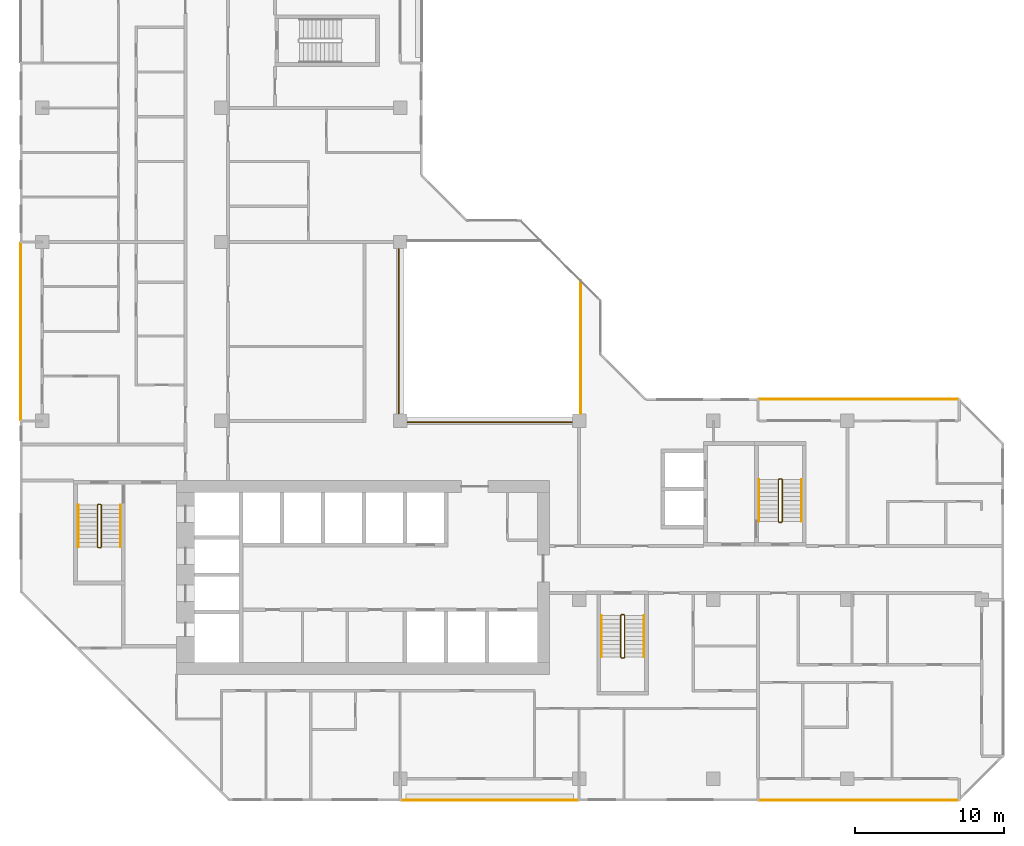
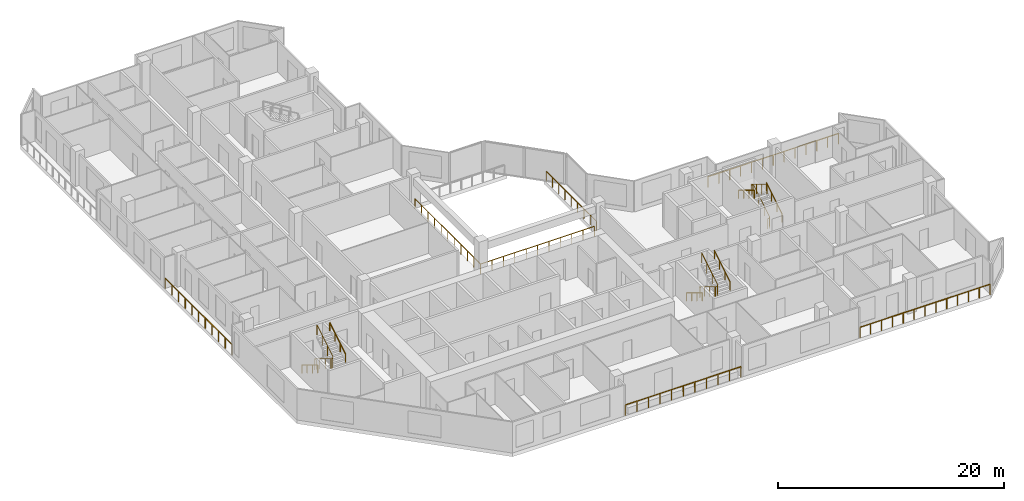
# One storey, part 14 of 15: 15 railings.
"""IFC4 building model written with IfcOpenShell, lengths in metres."""

from ifc_helpers import new_model, si_unit, direction, frame, origin, origin_2d, place, context, subcontext, project, spatial, rectangle, extrude, material, type_object, element, save


model = new_model("IFC4")

# Units and contexts
model_context = context("Model", 3, precision=1e-05, world=origin(), true_north=direction((0.0, 1.0)))
body_context = subcontext(model_context, "Body", "Model", "MODEL_VIEW")
ifc_project = project(units=[si_unit("LENGTHUNIT", "METRE"), si_unit("AREAUNIT", "SQUARE_METRE"), si_unit("VOLUMEUNIT", "CUBIC_METRE"), si_unit("PLANEANGLEUNIT", "RADIAN"), si_unit("MASSUNIT", "GRAM", prefix="KILO")], contexts=[model_context])

# Site, building, storey
site_placement = place(None, origin())
site = spatial("IfcSite", under=ifc_project, at=site_placement, CompositionType="ELEMENT")
building_placement = place(site_placement, origin())
building = spatial("IfcBuilding", under=site, at=building_placement, Name="Chenar Terraces", CompositionType="ELEMENT")
storey_placement = place(building_placement, frame((0.0, 0.0, 176.14990234375)))
storey = spatial("IfcBuildingStorey", under=building, at=storey_placement, Name="L40", CompositionType="ELEMENT", Elevation=176.14990234375)

# Railings
ifc_material_1 = material(Name="Powder-coated steel", Category="steel")
railing_type_1 = type_object("IfcRailingType", Name="Guard 1100 steel rail with glass infill", PredefinedType="GUARDRAIL", material=ifc_material_1)
railing_1_placement = place(storey_placement, frame((23.89990234375, 35.550048828125, 0.0)))
element("IfcRailing", 1, at=railing_1_placement, inside=storey, type_object=railing_type_1, Name="Guard L40-1", PredefinedType="GUARDRAIL", context=body_context, shape_type="SweptSolid", body=[
    extrude(rectangle(XDim=0.06005859375, YDim=0.06005859375, at=origin_2d()), frame((0.0, 0.0, 1.070068359375), z_axis=(0.0, -1.0, 0.0), x_axis=(1.0, 0.0, 0.0)), (0.0, 0.0, 1.0), 11.650146484375),
    extrude(rectangle(XDim=0.06005859375, YDim=0.06005859375, at=origin_2d()), frame((0.0, -11.650146484375, 1.070068359375), z_axis=(1.0, 0.0, 0.0), x_axis=(0.0, 1.0, 0.0)), (0.0, 0.0, 1.0), 11.650146484375),
    extrude(rectangle(XDim=0.050048828125, YDim=0.050048828125, at=origin_2d()), origin(), (0.0, 0.0, 1.0), 1.0400390625),
    extrude(rectangle(XDim=0.050048828125, YDim=0.050048828125, at=origin_2d()), frame((0.0, -1.1650390625, 0.0)), (0.0, 0.0, 1.0), 1.0400390625),
    extrude(rectangle(XDim=0.050048828125, YDim=0.050048828125, at=origin_2d()), frame((0.0, -2.330078125, 0.0)), (0.0, 0.0, 1.0), 1.0400390625),
    extrude(rectangle(XDim=0.050048828125, YDim=0.050048828125, at=origin_2d()), frame((0.0, -3.4951171875, 0.0)), (0.0, 0.0, 1.0), 1.0400390625),
    extrude(rectangle(XDim=0.050048828125, YDim=0.050048828125, at=origin_2d()), frame((0.0, -4.66015625, 0.0)), (0.0, 0.0, 1.0), 1.0400390625),
    extrude(rectangle(XDim=0.050048828125, YDim=0.050048828125, at=origin_2d()), frame((0.0, -5.8251953125, 0.0)), (0.0, 0.0, 1.0), 1.0400390625),
    extrude(rectangle(XDim=0.050048828125, YDim=0.050048828125, at=origin_2d()), frame((0.0, -6.989990234375, 0.0)), (0.0, 0.0, 1.0), 1.0400390625),
    extrude(rectangle(XDim=0.050048828125, YDim=0.050048828125, at=origin_2d()), frame((0.0, -8.155029296875, 0.0)), (0.0, 0.0, 1.0), 1.0400390625),
    extrude(rectangle(XDim=0.050048828125, YDim=0.050048828125, at=origin_2d()), frame((0.0, -9.320068359375, 0.0)), (0.0, 0.0, 1.0), 1.0400390625),
    extrude(rectangle(XDim=0.050048828125, YDim=0.050048828125, at=origin_2d()), frame((0.0, -10.485107421875, 0.0)), (0.0, 0.0, 1.0), 1.0400390625),
    extrude(rectangle(XDim=0.050048828125, YDim=0.050048828125, at=origin_2d()), frame((0.0, -11.650146484375, 0.0)), (0.0, 0.0, 1.0), 1.0400390625),
    extrude(rectangle(XDim=0.050048828125, YDim=0.050048828125, at=origin_2d()), frame((1.1650390625, -11.650146484375, 0.0)), (0.0, 0.0, 1.0), 1.0400390625),
    extrude(rectangle(XDim=0.050048828125, YDim=0.050048828125, at=origin_2d()), frame((2.330078125, -11.650146484375, 0.0)), (0.0, 0.0, 1.0), 1.0400390625),
    extrude(rectangle(XDim=0.050048828125, YDim=0.050048828125, at=origin_2d()), frame((3.4951171875, -11.650146484375, 0.0)), (0.0, 0.0, 1.0), 1.0400390625),
    extrude(rectangle(XDim=0.050048828125, YDim=0.050048828125, at=origin_2d()), frame((4.66015625, -11.650146484375, 0.0)), (0.0, 0.0, 1.0), 1.0400390625),
    extrude(rectangle(XDim=0.050048828125, YDim=0.050048828125, at=origin_2d()), frame((5.8251953125, -11.650146484375, 0.0)), (0.0, 0.0, 1.0), 1.0400390625),
    extrude(rectangle(XDim=0.050048828125, YDim=0.050048828125, at=origin_2d()), frame((6.989990234375, -11.650146484375, 0.0)), (0.0, 0.0, 1.0), 1.0400390625),
    extrude(rectangle(XDim=0.050048828125, YDim=0.050048828125, at=origin_2d()), frame((8.155029296875, -11.650146484375, 0.0)), (0.0, 0.0, 1.0), 1.0400390625),
    extrude(rectangle(XDim=0.050048828125, YDim=0.050048828125, at=origin_2d()), frame((9.320068359375, -11.650146484375, 0.0)), (0.0, 0.0, 1.0), 1.0400390625),
    extrude(rectangle(XDim=0.050048828125, YDim=0.050048828125, at=origin_2d()), frame((10.485107421875, -11.650146484375, 0.0)), (0.0, 0.0, 1.0), 1.0400390625),
    extrude(rectangle(XDim=0.050048828125, YDim=0.050048828125, at=origin_2d()), frame((11.650146484375, -11.650146484375, 0.0)), (0.0, 0.0, 1.0), 1.0400390625),
])
railing_2_placement = place(storey_placement, frame((36.10009765625, 24.5, 0.0)))
element("IfcRailing", 2, at=railing_2_placement, inside=storey, type_object=railing_type_1, Name="Guard L40-3", PredefinedType="GUARDRAIL", context=body_context, shape_type="SweptSolid", body=[
    extrude(rectangle(XDim=0.06005859375, YDim=0.06005859375, at=origin_2d()), frame((0.0, 0.0, 1.070068359375), z_axis=(0.0, 1.0, 0.0), x_axis=(-1.0, 0.0, 0.0)), (0.0, 0.0, 1.0), 8.89990234375),
    extrude(rectangle(XDim=0.050048828125, YDim=0.050048828125, at=origin_2d()), origin(), (0.0, 0.0, 1.0), 1.0400390625),
    extrude(rectangle(XDim=0.050048828125, YDim=0.050048828125, at=origin_2d()), frame((0.0, 1.112548828125, 0.0)), (0.0, 0.0, 1.0), 1.0400390625),
    extrude(rectangle(XDim=0.050048828125, YDim=0.050048828125, at=origin_2d()), frame((0.0, 2.22509765625, 0.0)), (0.0, 0.0, 1.0), 1.0400390625),
    extrude(rectangle(XDim=0.050048828125, YDim=0.050048828125, at=origin_2d()), frame((0.0, 3.33740234375, 0.0)), (0.0, 0.0, 1.0), 1.0400390625),
    extrude(rectangle(XDim=0.050048828125, YDim=0.050048828125, at=origin_2d()), frame((0.0, 4.449951171875, 0.0)), (0.0, 0.0, 1.0), 1.0400390625),
    extrude(rectangle(XDim=0.050048828125, YDim=0.050048828125, at=origin_2d()), frame((0.0, 5.5625, 0.0)), (0.0, 0.0, 1.0), 1.0400390625),
    extrude(rectangle(XDim=0.050048828125, YDim=0.050048828125, at=origin_2d()), frame((0.0, 6.6748046875, 0.0)), (0.0, 0.0, 1.0), 1.0400390625),
    extrude(rectangle(XDim=0.050048828125, YDim=0.050048828125, at=origin_2d()), frame((0.0, 7.787353515625, 0.0)), (0.0, 0.0, 1.0), 1.0400390625),
    extrude(rectangle(XDim=0.050048828125, YDim=0.050048828125, at=origin_2d()), frame((0.0, 8.89990234375, 0.0)), (0.0, 0.0, 1.0), 1.0400390625),
])
ifc_material_2 = material(Name="Stainless steel and glass", Category="steel")
railing_type_2 = type_object("IfcRailingType", Name="Loggia guard 1150", PredefinedType="GUARDRAIL", material=ifc_material_2)
railing_3_placement = place(storey_placement, frame((61.425048828125, 25.449951171875, 0.0)))
element("IfcRailing", 3, at=railing_3_placement, inside=storey, type_object=railing_type_2, Name="Loggia guard", PredefinedType="GUARDRAIL", context=body_context, shape_type="SweptSolid", body=[
    extrude(rectangle(XDim=0.048095703125, YDim=0.048095703125, at=origin_2d()), frame((0.0, 0.0, 1.1259765625), z_axis=(-1.0, 0.0, 0.0), x_axis=(0.0, -1.0, 0.0)), (0.0, 0.0, 1.0), 13.35009765625),
    extrude(rectangle(XDim=0.0419921875, YDim=0.0419921875, at=origin_2d()), origin(), (0.0, 0.0, 1.0), 1.101806640625),
    extrude(rectangle(XDim=0.0419921875, YDim=0.0419921875, at=origin_2d()), frame((-1.112548828125, 0.0, 0.0)), (0.0, 0.0, 1.0), 1.101806640625),
    extrude(rectangle(XDim=0.0419921875, YDim=0.0419921875, at=origin_2d()), frame((-2.22509765625, 0.0, 0.0)), (0.0, 0.0, 1.0), 1.101806640625),
    extrude(rectangle(XDim=0.0419921875, YDim=0.0419921875, at=origin_2d()), frame((-3.33740234375, 0.0, 0.0)), (0.0, 0.0, 1.0), 1.101806640625),
    extrude(rectangle(XDim=0.0419921875, YDim=0.0419921875, at=origin_2d()), frame((-4.449951171875, 0.0, 0.0)), (0.0, 0.0, 1.0), 1.101806640625),
    extrude(rectangle(XDim=0.0419921875, YDim=0.0419921875, at=origin_2d()), frame((-5.5625, 0.0, 0.0)), (0.0, 0.0, 1.0), 1.101806640625),
    extrude(rectangle(XDim=0.0419921875, YDim=0.0419921875, at=origin_2d()), frame((-6.675048828125, 0.0, 0.0)), (0.0, 0.0, 1.0), 1.101806640625),
    extrude(rectangle(XDim=0.0419921875, YDim=0.0419921875, at=origin_2d()), frame((-7.78759765625, 0.0, 0.0)), (0.0, 0.0, 1.0), 1.101806640625),
    extrude(rectangle(XDim=0.0419921875, YDim=0.0419921875, at=origin_2d()), frame((-8.900146484375, 0.0, 0.0)), (0.0, 0.0, 1.0), 1.101806640625),
    extrude(rectangle(XDim=0.0419921875, YDim=0.0419921875, at=origin_2d()), frame((-10.0126953125, 0.0, 0.0)), (0.0, 0.0, 1.0), 1.101806640625),
    extrude(rectangle(XDim=0.0419921875, YDim=0.0419921875, at=origin_2d()), frame((-11.125, 0.0, 0.0)), (0.0, 0.0, 1.0), 1.101806640625),
    extrude(rectangle(XDim=0.0419921875, YDim=0.0419921875, at=origin_2d()), frame((-12.237548828125, 0.0, 0.0)), (0.0, 0.0, 1.0), 1.101806640625),
    extrude(rectangle(XDim=0.0419921875, YDim=0.0419921875, at=origin_2d()), frame((-13.35009765625, 0.0, 0.0)), (0.0, 0.0, 1.0), 1.101806640625),
])
railing_4_placement = place(storey_placement, frame((24.074951171875, -1.449951171875, 0.0)))
element("IfcRailing", 4, at=railing_4_placement, inside=storey, type_object=railing_type_2, Name="Loggia guard", PredefinedType="GUARDRAIL", context=body_context, shape_type="SweptSolid", body=[
    extrude(rectangle(XDim=0.048095703125, YDim=0.048095703125, at=origin_2d()), frame((0.0, 0.0, 1.1259765625), z_axis=(1.0, 0.0, 0.0), x_axis=(0.0, 1.0, 0.0)), (0.0, 0.0, 1.0), 11.85009765625),
    extrude(rectangle(XDim=0.0419921875, YDim=0.0419921875, at=origin_2d()), origin(), (0.0, 0.0, 1.0), 1.101806640625),
    extrude(rectangle(XDim=0.0419921875, YDim=0.0419921875, at=origin_2d()), frame((1.18505859375, 0.0, 0.0)), (0.0, 0.0, 1.0), 1.101806640625),
    extrude(rectangle(XDim=0.0419921875, YDim=0.0419921875, at=origin_2d()), frame((2.3701171875, 0.0, 0.0)), (0.0, 0.0, 1.0), 1.101806640625),
    extrude(rectangle(XDim=0.0419921875, YDim=0.0419921875, at=origin_2d()), frame((3.554931640625, 0.0, 0.0)), (0.0, 0.0, 1.0), 1.101806640625),
    extrude(rectangle(XDim=0.0419921875, YDim=0.0419921875, at=origin_2d()), frame((4.739990234375, 0.0, 0.0)), (0.0, 0.0, 1.0), 1.101806640625),
    extrude(rectangle(XDim=0.0419921875, YDim=0.0419921875, at=origin_2d()), frame((5.925048828125, 0.0, 0.0)), (0.0, 0.0, 1.0), 1.101806640625),
    extrude(rectangle(XDim=0.0419921875, YDim=0.0419921875, at=origin_2d()), frame((7.110107421875, 0.0, 0.0)), (0.0, 0.0, 1.0), 1.101806640625),
    extrude(rectangle(XDim=0.0419921875, YDim=0.0419921875, at=origin_2d()), frame((8.295166015625, 0.0, 0.0)), (0.0, 0.0, 1.0), 1.101806640625),
    extrude(rectangle(XDim=0.0419921875, YDim=0.0419921875, at=origin_2d()), frame((9.47998046875, 0.0, 0.0)), (0.0, 0.0, 1.0), 1.101806640625),
    extrude(rectangle(XDim=0.0419921875, YDim=0.0419921875, at=origin_2d()), frame((10.6650390625, 0.0, 0.0)), (0.0, 0.0, 1.0), 1.101806640625),
    extrude(rectangle(XDim=0.0419921875, YDim=0.0419921875, at=origin_2d()), frame((11.85009765625, 0.0, 0.0)), (0.0, 0.0, 1.0), 1.101806640625),
])
railing_5_placement = place(storey_placement, frame((48.074951171875, -1.449951171875, 0.0)))
element("IfcRailing", 5, at=railing_5_placement, inside=storey, type_object=railing_type_2, Name="Loggia guard", PredefinedType="GUARDRAIL", context=body_context, shape_type="SweptSolid", body=[
    extrude(rectangle(XDim=0.048095703125, YDim=0.048095703125, at=origin_2d()), frame((0.0, 0.0, 1.1259765625), z_axis=(1.0, 0.0, 0.0), x_axis=(0.0, 1.0, 0.0)), (0.0, 0.0, 1.0), 13.35009765625),
    extrude(rectangle(XDim=0.0419921875, YDim=0.0419921875, at=origin_2d()), origin(), (0.0, 0.0, 1.0), 1.101806640625),
    extrude(rectangle(XDim=0.0419921875, YDim=0.0419921875, at=origin_2d()), frame((1.112548828125, 0.0, 0.0)), (0.0, 0.0, 1.0), 1.101806640625),
    extrude(rectangle(XDim=0.0419921875, YDim=0.0419921875, at=origin_2d()), frame((2.22509765625, 0.0, 0.0)), (0.0, 0.0, 1.0), 1.101806640625),
    extrude(rectangle(XDim=0.0419921875, YDim=0.0419921875, at=origin_2d()), frame((3.33740234375, 0.0, 0.0)), (0.0, 0.0, 1.0), 1.101806640625),
    extrude(rectangle(XDim=0.0419921875, YDim=0.0419921875, at=origin_2d()), frame((4.449951171875, 0.0, 0.0)), (0.0, 0.0, 1.0), 1.101806640625),
    extrude(rectangle(XDim=0.0419921875, YDim=0.0419921875, at=origin_2d()), frame((5.5625, 0.0, 0.0)), (0.0, 0.0, 1.0), 1.101806640625),
    extrude(rectangle(XDim=0.0419921875, YDim=0.0419921875, at=origin_2d()), frame((6.675048828125, 0.0, 0.0)), (0.0, 0.0, 1.0), 1.101806640625),
    extrude(rectangle(XDim=0.0419921875, YDim=0.0419921875, at=origin_2d()), frame((7.78759765625, 0.0, 0.0)), (0.0, 0.0, 1.0), 1.101806640625),
    extrude(rectangle(XDim=0.0419921875, YDim=0.0419921875, at=origin_2d()), frame((8.900146484375, 0.0, 0.0)), (0.0, 0.0, 1.0), 1.101806640625),
    extrude(rectangle(XDim=0.0419921875, YDim=0.0419921875, at=origin_2d()), frame((10.0126953125, 0.0, 0.0)), (0.0, 0.0, 1.0), 1.101806640625),
    extrude(rectangle(XDim=0.0419921875, YDim=0.0419921875, at=origin_2d()), frame((11.125, 0.0, 0.0)), (0.0, 0.0, 1.0), 1.101806640625),
    extrude(rectangle(XDim=0.0419921875, YDim=0.0419921875, at=origin_2d()), frame((12.237548828125, 0.0, 0.0)), (0.0, 0.0, 1.0), 1.101806640625),
    extrude(rectangle(XDim=0.0419921875, YDim=0.0419921875, at=origin_2d()), frame((13.35009765625, 0.0, 0.0)), (0.0, 0.0, 1.0), 1.101806640625),
])
railing_6_placement = place(storey_placement, frame((-1.449951171875, 35.925048828125, 0.0)))
element("IfcRailing", 6, at=railing_6_placement, inside=storey, type_object=railing_type_2, Name="Loggia guard", PredefinedType="GUARDRAIL", context=body_context, shape_type="SweptSolid", body=[
    extrude(rectangle(XDim=0.048095703125, YDim=0.048095703125, at=origin_2d()), frame((0.0, 0.0, 1.1259765625), z_axis=(0.0, -1.0, 0.0), x_axis=(1.0, 0.0, 0.0)), (0.0, 0.0, 1.0), 11.85009765625),
    extrude(rectangle(XDim=0.0419921875, YDim=0.0419921875, at=origin_2d()), origin(), (0.0, 0.0, 1.0), 1.101806640625),
    extrude(rectangle(XDim=0.0419921875, YDim=0.0419921875, at=origin_2d()), frame((0.0, -1.18505859375, 0.0)), (0.0, 0.0, 1.0), 1.101806640625),
    extrude(rectangle(XDim=0.0419921875, YDim=0.0419921875, at=origin_2d()), frame((0.0, -2.3701171875, 0.0)), (0.0, 0.0, 1.0), 1.101806640625),
    extrude(rectangle(XDim=0.0419921875, YDim=0.0419921875, at=origin_2d()), frame((0.0, -3.554931640625, 0.0)), (0.0, 0.0, 1.0), 1.101806640625),
    extrude(rectangle(XDim=0.0419921875, YDim=0.0419921875, at=origin_2d()), frame((0.0, -4.739990234375, 0.0)), (0.0, 0.0, 1.0), 1.101806640625),
    extrude(rectangle(XDim=0.0419921875, YDim=0.0419921875, at=origin_2d()), frame((0.0, -5.925048828125, 0.0)), (0.0, 0.0, 1.0), 1.101806640625),
    extrude(rectangle(XDim=0.0419921875, YDim=0.0419921875, at=origin_2d()), frame((0.0, -7.110107421875, 0.0)), (0.0, 0.0, 1.0), 1.101806640625),
    extrude(rectangle(XDim=0.0419921875, YDim=0.0419921875, at=origin_2d()), frame((0.0, -8.295166015625, 0.0)), (0.0, 0.0, 1.0), 1.101806640625),
    extrude(rectangle(XDim=0.0419921875, YDim=0.0419921875, at=origin_2d()), frame((0.0, -9.47998046875, 0.0)), (0.0, 0.0, 1.0), 1.101806640625),
    extrude(rectangle(XDim=0.0419921875, YDim=0.0419921875, at=origin_2d()), frame((0.0, -10.6650390625, 0.0)), (0.0, 0.0, 1.0), 1.101806640625),
    extrude(rectangle(XDim=0.0419921875, YDim=0.0419921875, at=origin_2d()), frame((0.0, -11.85009765625, 0.0)), (0.0, 0.0, 1.0), 1.101806640625),
])
ifc_material_3 = material(Name="Powder-coated steel", Category="steel")
railing_type_3 = type_object("IfcRailingType", Name="Stair guard 1100", PredefinedType="GUARDRAIL", material=ifc_material_3)
railing_7_placement = place(storey_placement, frame((3.949951171875, 18.35009765625, 3.75)))
element("IfcRailing", 7, at=railing_7_placement, inside=storey, type_object=railing_type_3, Name="L40 ST1 stair guard 1", PredefinedType="GUARDRAIL", context=body_context, shape_type="SweptSolid", body=[
    extrude(rectangle(XDim=0.048095703125, YDim=0.048095703125, at=origin_2d()), frame((0.0, 0.0, 1.076171875), z_axis=(0.0, -0.854202870247, -0.519939858505), x_axis=(1.0, 0.0, 0.0)), (0.0, 0.0, 1.0), 3.278076171875),
    extrude(rectangle(XDim=0.048095703125, YDim=0.048095703125, at=origin_2d()), frame((0.0, -2.800048828125, -0.62841796875), z_axis=(-0.270899902878, -0.270899902878, -0.923702595667), x_axis=(0.707106781187, -0.707106781187, 0.0)), (0.0, 0.0, 1.0), 0.184814453125),
    extrude(rectangle(XDim=0.048095703125, YDim=0.048095703125, at=origin_2d()), frame((-0.050048828125, -2.85009765625, -0.798828125), z_axis=(-1.0, 0.0, 0.0), x_axis=(0.0, -1.0, 0.0)), (0.0, 0.0, 1.0), 0.14990234375),
    extrude(rectangle(XDim=0.048095703125, YDim=0.048095703125, at=origin_2d()), frame((-0.199951171875, -2.85009765625, -0.798828125), z_axis=(-0.707106781187, 0.707106781187, 0.0), x_axis=(-0.707106781187, -0.707106781187, 0.0)), (0.0, 0.0, 1.0), 0.07080078125),
    extrude(rectangle(XDim=0.048095703125, YDim=0.048095703125, at=origin_2d()), frame((-0.25, -2.800048828125, -0.798828125), z_axis=(0.0, 0.854202870247, -0.519939858505), x_axis=(-1.0, 0.0, 0.0)), (0.0, 0.0, 1.0), 3.278076171875),
    extrude(rectangle(XDim=0.048095703125, YDim=0.048095703125, at=origin_2d()), frame((-0.25, 0.0, -2.50341796875), z_axis=(0.270996696079, 0.269674760976, -0.924032636873), x_axis=(-0.705375805398, 0.708833529934, 0.0)), (0.0, 0.0, 1.0), 0.1845703125),
    extrude(rectangle(XDim=0.048095703125, YDim=0.048095703125, at=origin_2d()), frame((-0.199951171875, 0.0498046875, -2.673828125), z_axis=(1.0, 0.0, 0.0), x_axis=(0.0, 1.0, 0.0)), (0.0, 0.0, 1.0), 0.14990234375),
    extrude(rectangle(XDim=0.0419921875, YDim=0.0419921875, at=origin_2d()), origin(), (0.0, 0.0, 1.0), 1.052001953125),
    extrude(rectangle(XDim=0.0419921875, YDim=0.0419921875, at=origin_2d()), frame((0.0, -0.933349609375, -0.568115234375)), (0.0, 0.0, 1.0), 1.052001953125),
    extrude(rectangle(XDim=0.0419921875, YDim=0.0419921875, at=origin_2d()), frame((0.0, -1.86669921875, -1.13623046875)), (0.0, 0.0, 1.0), 1.052001953125),
    extrude(rectangle(XDim=0.0419921875, YDim=0.0419921875, at=origin_2d()), frame((0.0, -2.800048828125, -1.704345703125)), (0.0, 0.0, 1.0), 1.052001953125),
    extrude(rectangle(XDim=0.0419921875, YDim=0.0419921875, at=origin_2d()), frame((-0.050048828125, -2.85009765625, -1.875)), (0.0, 0.0, 1.0), 1.052001953125),
    extrude(rectangle(XDim=0.0419921875, YDim=0.0419921875, at=origin_2d()), frame((-0.199951171875, -2.85009765625, -1.875)), (0.0, 0.0, 1.0), 1.052001953125),
    extrude(rectangle(XDim=0.0419921875, YDim=0.0419921875, at=origin_2d()), frame((-0.25, -2.800048828125, -1.875)), (0.0, 0.0, 1.0), 1.052001953125),
    extrude(rectangle(XDim=0.0419921875, YDim=0.0419921875, at=origin_2d()), frame((-0.25, -1.86669921875, -2.443115234375)), (0.0, 0.0, 1.0), 1.052001953125),
    extrude(rectangle(XDim=0.0419921875, YDim=0.0419921875, at=origin_2d()), frame((-0.25, -0.933349609375, -3.01123046875)), (0.0, 0.0, 1.0), 1.052001953125),
    extrude(rectangle(XDim=0.0419921875, YDim=0.0419921875, at=origin_2d()), frame((-0.25, 0.0, -3.579345703125)), (0.0, 0.0, 1.0), 1.052001953125),
    extrude(rectangle(XDim=0.0419921875, YDim=0.0419921875, at=origin_2d()), frame((-0.199951171875, 0.0498046875, -3.75)), (0.0, 0.0, 1.0), 1.052001953125),
    extrude(rectangle(XDim=0.0419921875, YDim=0.0419921875, at=origin_2d()), frame((-0.050048828125, 0.0498046875, -3.75)), (0.0, 0.0, 1.0), 1.052001953125),
])
railing_8_placement = place(storey_placement, frame((39.050048828125, 10.949951171875, 3.75)))
element("IfcRailing", 8, at=railing_8_placement, inside=storey, type_object=railing_type_3, Name="L40 ST2 stair guard 1", PredefinedType="GUARDRAIL", context=body_context, shape_type="SweptSolid", body=[
    extrude(rectangle(XDim=0.048095703125, YDim=0.048095703125, at=origin_2d()), frame((0.0, 0.0, 1.076171875), z_axis=(0.0, -0.854202870247, -0.519939858505), x_axis=(1.0, 0.0, 0.0)), (0.0, 0.0, 1.0), 3.278076171875),
    extrude(rectangle(XDim=0.048095703125, YDim=0.048095703125, at=origin_2d()), frame((0.0, -2.800048828125, -0.62841796875), z_axis=(-0.270996696079, -0.269674760976, -0.924032636873), x_axis=(0.705375805398, -0.708833529934, 0.0)), (0.0, 0.0, 1.0), 0.1845703125),
    extrude(rectangle(XDim=0.048095703125, YDim=0.048095703125, at=origin_2d()), frame((-0.050048828125, -2.849853515625, -0.798828125), z_axis=(-1.0, 0.0, 0.0), x_axis=(0.0, -1.0, 0.0)), (0.0, 0.0, 1.0), 0.14990234375),
    extrude(rectangle(XDim=0.048095703125, YDim=0.048095703125, at=origin_2d()), frame((-0.199951171875, -2.849853515625, -0.798828125), z_axis=(-0.708833529934, 0.705375805398, 0.0), x_axis=(-0.705375805398, -0.708833529934, 0.0)), (0.0, 0.0, 1.0), 0.070556640625),
    extrude(rectangle(XDim=0.048095703125, YDim=0.048095703125, at=origin_2d()), frame((-0.25, -2.800048828125, -0.798828125), z_axis=(0.0, 0.854202870247, -0.519939858505), x_axis=(-1.0, 0.0, 0.0)), (0.0, 0.0, 1.0), 3.278076171875),
    extrude(rectangle(XDim=0.048095703125, YDim=0.048095703125, at=origin_2d()), frame((-0.25, 0.0, -2.50341796875), z_axis=(0.270899902878, 0.270899902878, -0.923702595667), x_axis=(-0.707106781187, 0.707106781187, 0.0)), (0.0, 0.0, 1.0), 0.184814453125),
    extrude(rectangle(XDim=0.048095703125, YDim=0.048095703125, at=origin_2d()), frame((-0.199951171875, 0.050048828125, -2.673828125), z_axis=(1.0, 0.0, 0.0), x_axis=(0.0, 1.0, 0.0)), (0.0, 0.0, 1.0), 0.14990234375),
    extrude(rectangle(XDim=0.0419921875, YDim=0.0419921875, at=origin_2d()), origin(), (0.0, 0.0, 1.0), 1.052001953125),
    extrude(rectangle(XDim=0.0419921875, YDim=0.0419921875, at=origin_2d()), frame((0.0, -0.933349609375, -0.568115234375)), (0.0, 0.0, 1.0), 1.052001953125),
    extrude(rectangle(XDim=0.0419921875, YDim=0.0419921875, at=origin_2d()), frame((0.0, -1.86669921875, -1.13623046875)), (0.0, 0.0, 1.0), 1.052001953125),
    extrude(rectangle(XDim=0.0419921875, YDim=0.0419921875, at=origin_2d()), frame((0.0, -2.800048828125, -1.704345703125)), (0.0, 0.0, 1.0), 1.052001953125),
    extrude(rectangle(XDim=0.0419921875, YDim=0.0419921875, at=origin_2d()), frame((-0.050048828125, -2.849853515625, -1.875)), (0.0, 0.0, 1.0), 1.052001953125),
    extrude(rectangle(XDim=0.0419921875, YDim=0.0419921875, at=origin_2d()), frame((-0.199951171875, -2.849853515625, -1.875)), (0.0, 0.0, 1.0), 1.052001953125),
    extrude(rectangle(XDim=0.0419921875, YDim=0.0419921875, at=origin_2d()), frame((-0.25, -2.800048828125, -1.875)), (0.0, 0.0, 1.0), 1.052001953125),
    extrude(rectangle(XDim=0.0419921875, YDim=0.0419921875, at=origin_2d()), frame((-0.25, -1.86669921875, -2.443115234375)), (0.0, 0.0, 1.0), 1.052001953125),
    extrude(rectangle(XDim=0.0419921875, YDim=0.0419921875, at=origin_2d()), frame((-0.25, -0.933349609375, -3.01123046875)), (0.0, 0.0, 1.0), 1.052001953125),
    extrude(rectangle(XDim=0.0419921875, YDim=0.0419921875, at=origin_2d()), frame((-0.25, 0.0, -3.579345703125)), (0.0, 0.0, 1.0), 1.052001953125),
    extrude(rectangle(XDim=0.0419921875, YDim=0.0419921875, at=origin_2d()), frame((-0.199951171875, 0.050048828125, -3.75)), (0.0, 0.0, 1.0), 1.052001953125),
    extrude(rectangle(XDim=0.0419921875, YDim=0.0419921875, at=origin_2d()), frame((-0.050048828125, 0.050048828125, -3.75)), (0.0, 0.0, 1.0), 1.052001953125),
])
railing_9_placement = place(storey_placement, frame((49.375, 17.25, 3.75)))
element("IfcRailing", 9, at=railing_9_placement, inside=storey, type_object=railing_type_3, Name="L40 ST3 stair guard 1", PredefinedType="GUARDRAIL", context=body_context, shape_type="SweptSolid", body=[
    extrude(rectangle(XDim=0.048095703125, YDim=0.048095703125, at=origin_2d()), frame((0.0, 0.0, 1.076171875), z_axis=(0.0, 0.854202870247, -0.519939858505), x_axis=(-1.0, 0.0, 0.0)), (0.0, 0.0, 1.0), 3.278076171875),
    extrude(rectangle(XDim=0.048095703125, YDim=0.048095703125, at=origin_2d()), frame((0.0, 2.800048828125, -0.62841796875), z_axis=(0.270899902878, 0.270899902878, -0.923702595667), x_axis=(-0.707106781187, 0.707106781187, 0.0)), (0.0, 0.0, 1.0), 0.184814453125),
    extrude(rectangle(XDim=0.048095703125, YDim=0.048095703125, at=origin_2d()), frame((0.050048828125, 2.85009765625, -0.798828125), z_axis=(1.0, 0.0, 0.0), x_axis=(0.0, 1.0, 0.0)), (0.0, 0.0, 1.0), 0.14990234375),
    extrude(rectangle(XDim=0.048095703125, YDim=0.048095703125, at=origin_2d()), frame((0.199951171875, 2.85009765625, -0.798828125), z_axis=(0.707106781187, -0.707106781187, 0.0), x_axis=(0.707106781187, 0.707106781187, 0.0)), (0.0, 0.0, 1.0), 0.07080078125),
    extrude(rectangle(XDim=0.048095703125, YDim=0.048095703125, at=origin_2d()), frame((0.25, 2.800048828125, -0.798828125), z_axis=(0.0, -0.854202870247, -0.519939858505), x_axis=(1.0, 0.0, 0.0)), (0.0, 0.0, 1.0), 3.278076171875),
    extrude(rectangle(XDim=0.048095703125, YDim=0.048095703125, at=origin_2d()), frame((0.25, 0.0, -2.50341796875), z_axis=(-0.270899902878, -0.270899902878, -0.923702595667), x_axis=(0.707106781187, -0.707106781187, 0.0)), (0.0, 0.0, 1.0), 0.184814453125),
    extrude(rectangle(XDim=0.048095703125, YDim=0.048095703125, at=origin_2d()), frame((0.199951171875, -0.050048828125, -2.673828125), z_axis=(-1.0, 0.0, 0.0), x_axis=(0.0, -1.0, 0.0)), (0.0, 0.0, 1.0), 0.14990234375),
    extrude(rectangle(XDim=0.0419921875, YDim=0.0419921875, at=origin_2d()), origin(), (0.0, 0.0, 1.0), 1.052001953125),
    extrude(rectangle(XDim=0.0419921875, YDim=0.0419921875, at=origin_2d()), frame((0.0, 0.933349609375, -0.568115234375)), (0.0, 0.0, 1.0), 1.052001953125),
    extrude(rectangle(XDim=0.0419921875, YDim=0.0419921875, at=origin_2d()), frame((0.0, 1.86669921875, -1.13623046875)), (0.0, 0.0, 1.0), 1.052001953125),
    extrude(rectangle(XDim=0.0419921875, YDim=0.0419921875, at=origin_2d()), frame((0.0, 2.800048828125, -1.704345703125)), (0.0, 0.0, 1.0), 1.052001953125),
    extrude(rectangle(XDim=0.0419921875, YDim=0.0419921875, at=origin_2d()), frame((0.050048828125, 2.85009765625, -1.875)), (0.0, 0.0, 1.0), 1.052001953125),
    extrude(rectangle(XDim=0.0419921875, YDim=0.0419921875, at=origin_2d()), frame((0.199951171875, 2.85009765625, -1.875)), (0.0, 0.0, 1.0), 1.052001953125),
    extrude(rectangle(XDim=0.0419921875, YDim=0.0419921875, at=origin_2d()), frame((0.25, 2.800048828125, -1.875)), (0.0, 0.0, 1.0), 1.052001953125),
    extrude(rectangle(XDim=0.0419921875, YDim=0.0419921875, at=origin_2d()), frame((0.25, 1.86669921875, -2.443115234375)), (0.0, 0.0, 1.0), 1.052001953125),
    extrude(rectangle(XDim=0.0419921875, YDim=0.0419921875, at=origin_2d()), frame((0.25, 0.933349609375, -3.01123046875)), (0.0, 0.0, 1.0), 1.052001953125),
    extrude(rectangle(XDim=0.0419921875, YDim=0.0419921875, at=origin_2d()), frame((0.25, 0.0, -3.579345703125)), (0.0, 0.0, 1.0), 1.052001953125),
    extrude(rectangle(XDim=0.0419921875, YDim=0.0419921875, at=origin_2d()), frame((0.199951171875, -0.050048828125, -3.75)), (0.0, 0.0, 1.0), 1.052001953125),
    extrude(rectangle(XDim=0.0419921875, YDim=0.0419921875, at=origin_2d()), frame((0.050048828125, -0.050048828125, -3.75)), (0.0, 0.0, 1.0), 1.052001953125),
])
ifc_material_4 = material(Name="Powder-coated steel", Category="steel")
railing_type_4 = type_object("IfcRailingType", Name="Stair handrail 900", PredefinedType="HANDRAIL", material=ifc_material_4)
railing_10_placement = place(storey_placement, frame((2.39990234375, 18.35009765625, 0.170654296875)))
element("IfcRailing", 10, at=railing_10_placement, inside=storey, type_object=railing_type_4, Name="L40 ST1 stair handrail 1", PredefinedType="HANDRAIL", context=body_context, shape_type="SweptSolid", body=[
    extrude(rectangle(XDim=0.048095703125, YDim=0.048095703125, at=origin_2d()), frame((0.0, 0.0, 0.8759765625), z_axis=(0.0, -0.854202870247, 0.519939858505), x_axis=(1.0, 0.0, 0.0)), (0.0, 0.0, 1.0), 3.278076171875),
    extrude(rectangle(XDim=0.0419921875, YDim=0.0419921875, at=origin_2d()), origin(), (0.0, 0.0, 1.0), 0.851806640625),
    extrude(rectangle(XDim=0.0419921875, YDim=0.0419921875, at=origin_2d()), frame((0.0, -0.933349609375, 0.568115234375)), (0.0, 0.0, 1.0), 0.851806640625),
    extrude(rectangle(XDim=0.0419921875, YDim=0.0419921875, at=origin_2d()), frame((0.0, -1.86669921875, 1.13623046875)), (0.0, 0.0, 1.0), 0.851806640625),
    extrude(rectangle(XDim=0.0419921875, YDim=0.0419921875, at=origin_2d()), frame((0.0, -2.800048828125, 1.704345703125)), (0.0, 0.0, 1.0), 0.851806640625),
])
railing_11_placement = place(storey_placement, frame((5.25, 15.550048828125, 2.045654296875)))
element("IfcRailing", 11, at=railing_11_placement, inside=storey, type_object=railing_type_4, Name="L40 ST1 stair handrail 2", PredefinedType="HANDRAIL", context=body_context, shape_type="SweptSolid", body=[
    extrude(rectangle(XDim=0.048095703125, YDim=0.048095703125, at=origin_2d()), frame((0.0, 0.0, 0.8759765625), z_axis=(0.0, 0.854202870247, 0.519939858505), x_axis=(-1.0, 0.0, 0.0)), (0.0, 0.0, 1.0), 3.278076171875),
    extrude(rectangle(XDim=0.0419921875, YDim=0.0419921875, at=origin_2d()), origin(), (0.0, 0.0, 1.0), 0.851806640625),
    extrude(rectangle(XDim=0.0419921875, YDim=0.0419921875, at=origin_2d()), frame((0.0, 0.933349609375, 0.568115234375)), (0.0, 0.0, 1.0), 0.851806640625),
    extrude(rectangle(XDim=0.0419921875, YDim=0.0419921875, at=origin_2d()), frame((0.0, 1.86669921875, 1.13623046875)), (0.0, 0.0, 1.0), 0.851806640625),
    extrude(rectangle(XDim=0.0419921875, YDim=0.0419921875, at=origin_2d()), frame((0.0, 2.800048828125, 1.704345703125)), (0.0, 0.0, 1.0), 0.851806640625),
])
railing_12_placement = place(storey_placement, frame((37.5, 10.949951171875, 0.170654296875)))
element("IfcRailing", 12, at=railing_12_placement, inside=storey, type_object=railing_type_4, Name="L40 ST2 stair handrail 1", PredefinedType="HANDRAIL", context=body_context, shape_type="SweptSolid", body=[
    extrude(rectangle(XDim=0.048095703125, YDim=0.048095703125, at=origin_2d()), frame((0.0, 0.0, 0.8759765625), z_axis=(0.0, -0.854202870247, 0.519939858505), x_axis=(1.0, 0.0, 0.0)), (0.0, 0.0, 1.0), 3.278076171875),
    extrude(rectangle(XDim=0.0419921875, YDim=0.0419921875, at=origin_2d()), origin(), (0.0, 0.0, 1.0), 0.851806640625),
    extrude(rectangle(XDim=0.0419921875, YDim=0.0419921875, at=origin_2d()), frame((0.0, -0.933349609375, 0.568115234375)), (0.0, 0.0, 1.0), 0.851806640625),
    extrude(rectangle(XDim=0.0419921875, YDim=0.0419921875, at=origin_2d()), frame((0.0, -1.86669921875, 1.13623046875)), (0.0, 0.0, 1.0), 0.851806640625),
    extrude(rectangle(XDim=0.0419921875, YDim=0.0419921875, at=origin_2d()), frame((0.0, -2.800048828125, 1.704345703125)), (0.0, 0.0, 1.0), 0.851806640625),
])
for number, where, name in (
    (13, (40.35009765625, 8.14990234375, 2.045654296875), "L40 ST2 stair handrail 2"),
    (14, (50.925048828125, 17.25, 0.170654296875), "L40 ST3 stair handrail 1"),
):
    element("IfcRailing", number, at=place(storey_placement, frame(where)), inside=storey, type_object=railing_type_4, Name=name, PredefinedType="HANDRAIL", context=body_context, shape_type="SweptSolid", body=[
        extrude(rectangle(XDim=0.048095703125, YDim=0.048095703125, at=origin_2d()), frame((0.0, 0.0, 0.8759765625), z_axis=(0.0, 0.854202870247, 0.519939858505), x_axis=(-1.0, 0.0, 0.0)), (0.0, 0.0, 1.0), 3.278076171875),
        extrude(rectangle(XDim=0.0419921875, YDim=0.0419921875, at=origin_2d()), origin(), (0.0, 0.0, 1.0), 0.851806640625),
        extrude(rectangle(XDim=0.0419921875, YDim=0.0419921875, at=origin_2d()), frame((0.0, 0.933349609375, 0.568115234375)), (0.0, 0.0, 1.0), 0.851806640625),
        extrude(rectangle(XDim=0.0419921875, YDim=0.0419921875, at=origin_2d()), frame((0.0, 1.86669921875, 1.13623046875)), (0.0, 0.0, 1.0), 0.851806640625),
        extrude(rectangle(XDim=0.0419921875, YDim=0.0419921875, at=origin_2d()), frame((0.0, 2.800048828125, 1.704345703125)), (0.0, 0.0, 1.0), 0.851806640625),
    ])
railing_13_placement = place(storey_placement, frame((48.074951171875, 20.050048828125, 2.045654296875)))
element("IfcRailing", 15, at=railing_13_placement, inside=storey, type_object=railing_type_4, Name="L40 ST3 stair handrail 2", PredefinedType="HANDRAIL", context=body_context, shape_type="SweptSolid", body=[
    extrude(rectangle(XDim=0.048095703125, YDim=0.048095703125, at=origin_2d()), frame((0.0, 0.0, 0.8759765625), z_axis=(0.0, -0.854202870247, 0.519939858505), x_axis=(1.0, 0.0, 0.0)), (0.0, 0.0, 1.0), 3.278076171875),
    extrude(rectangle(XDim=0.0419921875, YDim=0.0419921875, at=origin_2d()), origin(), (0.0, 0.0, 1.0), 0.851806640625),
    extrude(rectangle(XDim=0.0419921875, YDim=0.0419921875, at=origin_2d()), frame((0.0, -0.933349609375, 0.568115234375)), (0.0, 0.0, 1.0), 0.851806640625),
    extrude(rectangle(XDim=0.0419921875, YDim=0.0419921875, at=origin_2d()), frame((0.0, -1.86669921875, 1.13623046875)), (0.0, 0.0, 1.0), 0.851806640625),
    extrude(rectangle(XDim=0.0419921875, YDim=0.0419921875, at=origin_2d()), frame((0.0, -2.800048828125, 1.704345703125)), (0.0, 0.0, 1.0), 0.851806640625),
])

save(model, "model.ifc")
